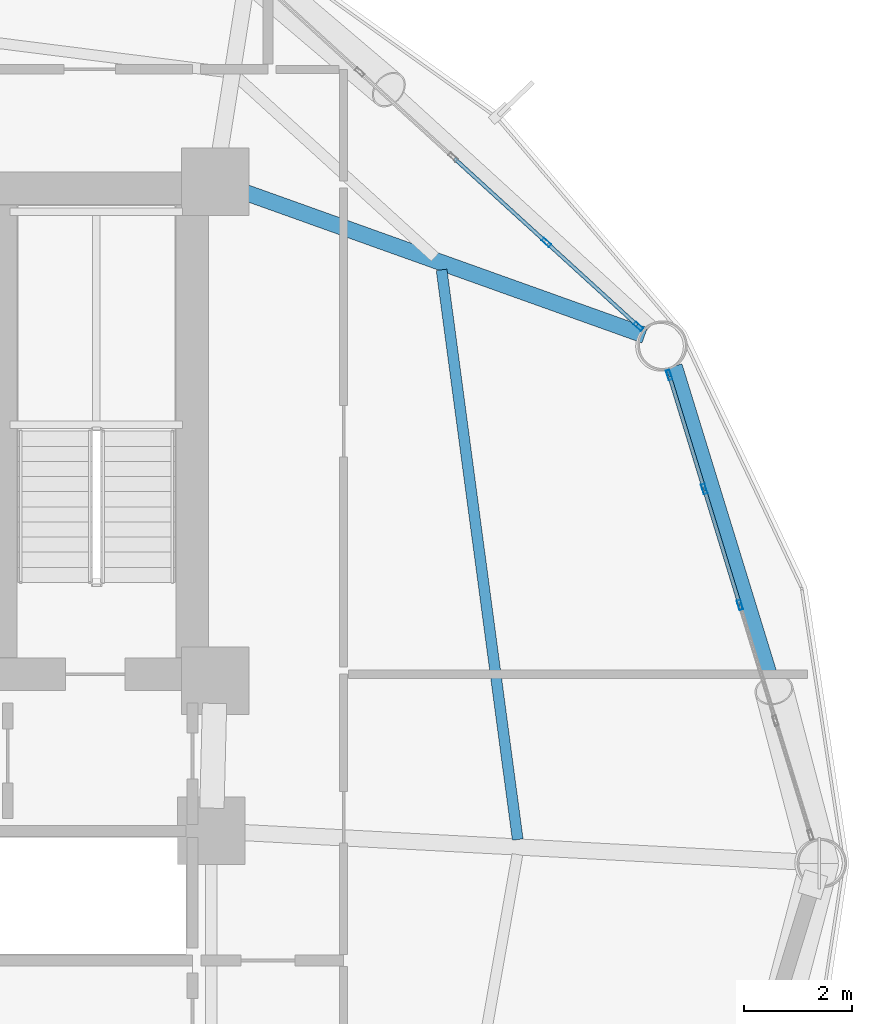
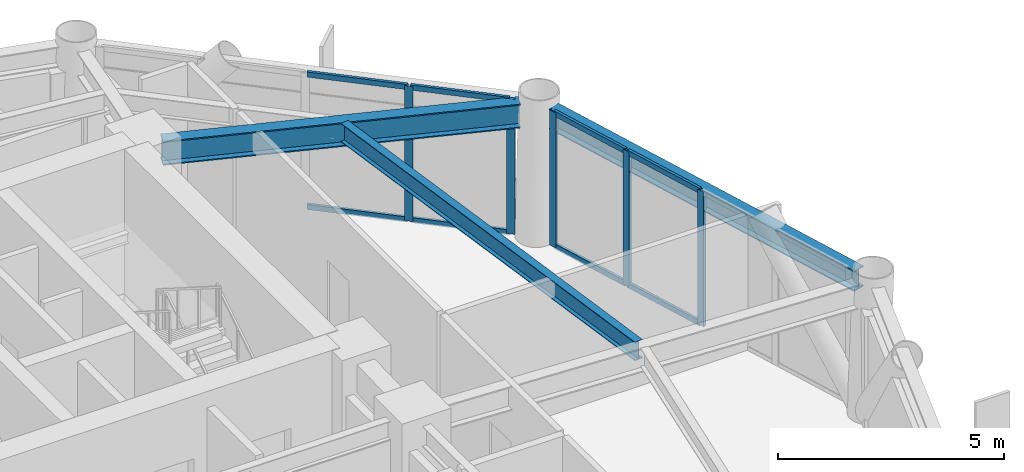
# One storey, part 15 of 26: 13 members, 3 beams, 2 elements without a shape of their own.
"""IFC4 building model written with IfcOpenShell, lengths in metres."""

from ifc_helpers import new_model, si_unit, direction, frame, origin, origin_2d, place, context, subcontext, project, spatial, hollow_rectangle, i_section, extrude, material, layer, layer_set, material_profile, profile_set, type_object, element, aggregate, save


model = new_model("IFC4")

# Units and contexts
model_context = context("Model", 3, precision=1e-05, world=origin(), true_north=direction((0.0, 1.0)))
body_context = subcontext(model_context, "Body", "Model", "MODEL_VIEW")
ifc_project = project(units=[si_unit("LENGTHUNIT", "METRE"), si_unit("AREAUNIT", "SQUARE_METRE"), si_unit("VOLUMEUNIT", "CUBIC_METRE"), si_unit("PLANEANGLEUNIT", "RADIAN"), si_unit("MASSUNIT", "GRAM", prefix="KILO")], contexts=[model_context])

# Site, building, storey
site_placement = place(None, origin())
site = spatial("IfcSite", under=ifc_project, at=site_placement, CompositionType="ELEMENT")
building_placement = place(site_placement, origin())
building = spatial("IfcBuilding", under=site, at=building_placement, Name="Varnakorn Sky Granary", CompositionType="ELEMENT")
storey_placement = place(building_placement, frame((0.0, 0.0, 51.0)))
storey = spatial("IfcBuildingStorey", under=building, at=storey_placement, Name="L12", CompositionType="ELEMENT", Elevation=51.0)

# Beams
ifc_material_1 = material(Name="Steel S355JR", Category="steel")
ifc_material_profile_1 = material_profile(ifc_material_1, i_section(OverallWidth=0.300048828125, OverallDepth=0.64990234375, WebThickness=0.01611328125, FlangeThickness=0.031005859375, at=origin_2d()), Name="HE 650 B")
ifc_profile_set_1 = profile_set([ifc_material_profile_1], Name="Steel S355JR")
beam_type_1 = type_object("IfcBeamType", Name="BM-RAD-Z1", PredefinedType="BEAM", material=ifc_profile_set_1)
beam_1_placement = place(storey_placement, frame((8.8154296875, 12.478515625, 3.31494140625), z_axis=(0.941569066567, -0.33681997103, 0.0), x_axis=(0.33681997103, 0.941569066567, 0.0)))
element("IfcBeam", 1, at=beam_1_placement, inside=storey, type_object=beam_type_1, Name="Radial Floor Girder RG02 L12", PredefinedType="BEAM", context=body_context, shape_type="SweptSolid", body=[
    extrude(i_section(OverallWidth=0.300048828125, OverallDepth=0.64990234375, WebThickness=0.01611328125, FlangeThickness=0.031005859375, at=origin_2d()), origin(), (0.0, 0.0, 1.0), 8.02685546875),
])
ifc_material_profile_2 = material_profile(ifc_material_1, i_section(OverallWidth=0.199951171875, OverallDepth=0.5, WebThickness=0.01025390625, FlangeThickness=0.01611328125, at=origin_2d()), Name="IPE 500")
ifc_profile_set_2 = profile_set([ifc_material_profile_2], Name="Steel S355JR")
beam_type_2 = type_object("IfcBeamType", Name="BM-SEC-Z1", PredefinedType="BEAM", material=ifc_profile_set_2)
beam_2_placement = place(storey_placement, frame((14.0224609375, 0.439208984375, 3.389892578125), z_axis=(-0.132435695668, 0.991191599295, 0.0), x_axis=(-0.991191599295, -0.132435695668, 0.0)))
element("IfcBeam", 2, at=beam_2_placement, inside=storey, type_object=beam_type_2, Name="Secondary Floor Chord Beam MSB01 L12", PredefinedType="BEAM", context=body_context, shape_type="SweptSolid", body=[
    extrude(i_section(OverallWidth=0.199951171875, OverallDepth=0.5, WebThickness=0.01025390625, FlangeThickness=0.01611328125, at=origin_2d()), origin(), (0.0, 0.0, 1.0), 10.642333984375),
])
ifc_material_profile_3 = material_profile(ifc_material_1, i_section(OverallWidth=0.300048828125, OverallDepth=0.550048828125, WebThickness=0.014892578125, FlangeThickness=0.029052734375, at=origin_2d()), Name="HE 550 B")
ifc_profile_set_3 = profile_set([ifc_material_profile_3], Name="Steel S355JR")
beam_type_3 = type_object("IfcBeamType", Name="BM-SPD-Z1", PredefinedType="SPANDREL", material=ifc_profile_set_3)
beam_3_placement = place(storey_placement, frame((19.623779296875, 0.42236328125, 3.364990234375), z_axis=(-0.294302432342, 0.955712340779, 0.0), x_axis=(-0.955712340779, -0.294302432342, 0.0)))
element("IfcBeam", 3, at=beam_3_placement, inside=storey, type_object=beam_type_3, Name="Perimeter Spandrel Ring Beam RB01 L12", PredefinedType="SPANDREL", context=body_context, shape_type="SweptSolid", body=[
    extrude(i_section(OverallWidth=0.300048828125, OverallDepth=0.550048828125, WebThickness=0.014892578125, FlangeThickness=0.029052734375, at=origin_2d()), origin(), (0.0, 0.0, 1.0), 9.188232421875),
])

# Curtain wall, members
ifc_material_2 = material(Name="Anodised Bronze Aluminium Alloy 6063-T6", Category="aluminium")
ifc_layer = layer(ifc_material_2, 0.18994140625, Name="Anodised Bronze Aluminium Alloy 6063-T6")
ifc_layer_set = layer_set([ifc_layer], Name="Anodised Bronze Aluminium Alloy 6063-T6")
curtain_wall_type = type_object("IfcCurtainWallType", Name="CW-FRM-1", PredefinedType="USERDEFINED", material=ifc_layer_set)
curtain_wall_1_placement = place(storey_placement, origin())
curtain_wall_1 = element("IfcCurtainWall", 4, at=curtain_wall_1_placement, inside=storey, type_object=curtain_wall_type, Name="Unitised Curtain Wall CW3 CW-L12-B01", ObjectType="CURTAIN WALL", PredefinedType="USERDEFINED")
ifc_material_profile_4 = material_profile(ifc_material_2, hollow_rectangle(XDim=0.070068359375, YDim=0.18505859375, WallThickness=0.00390625, at=origin_2d()), Name="ALU MULL 70x185")
ifc_profile_set_4 = profile_set([ifc_material_profile_4], Name="Anodised Bronze Aluminium Alloy 6063-T6")
member_type_1 = type_object("IfcMemberType", Name="CW-FRM-1-MULL", PredefinedType="MULLION", material=ifc_profile_set_4)
member_1_placement = place(storey_placement, frame((16.82568359375, 9.04150390625, 0.0), z_axis=(0.0, 0.0, 1.0), x_axis=(0.955767929805, 0.294121852906, 0.0)))
member_1 = element("IfcMember", 5, at=member_1_placement, type_object=member_type_1, Name="CW3 mullion 1", PredefinedType="MULLION", context=body_context, shape_type="SweptSolid", body=[
    extrude(hollow_rectangle(XDim=0.070068359375, YDim=0.18505859375, WallThickness=0.00390625, at=origin_2d()), origin(), (0.0, 0.0, 1.0), 3.639892578125),
])
member_2_placement = place(storey_placement, frame((17.475341796875, 6.9296875, 0.0), z_axis=(0.0, 0.0, 1.0), x_axis=(0.955767929805, 0.294121852906, 0.0)))
member_2 = element("IfcMember", 6, at=member_2_placement, type_object=member_type_1, Name="CW3 mullion 2", PredefinedType="MULLION", context=body_context, shape_type="SweptSolid", body=[
    extrude(hollow_rectangle(XDim=0.070068359375, YDim=0.18505859375, WallThickness=0.00390625, at=origin_2d()), origin(), (0.0, 0.0, 1.0), 3.639892578125),
])
member_3_placement = place(storey_placement, frame((18.135498046875, 4.784423828125, 0.0), z_axis=(0.0, 0.0, 1.0), x_axis=(0.955767929805, 0.294121852906, 0.0)))
member_3 = element("IfcMember", 7, at=member_3_placement, type_object=member_type_1, Name="CW3 mullion 3", PredefinedType="MULLION", context=body_context, shape_type="SweptSolid", body=[
    extrude(hollow_rectangle(XDim=0.070068359375, YDim=0.18505859375, WallThickness=0.00390625, at=origin_2d()), origin(), (0.0, 0.0, 1.0), 3.639892578125),
])

curtain_wall_2_placement = place(storey_placement, origin())
curtain_wall_2 = element("IfcCurtainWall", 8, at=curtain_wall_2_placement, inside=storey, type_object=curtain_wall_type, Name="Unitised Curtain Wall CW3 CW-L12-B02", ObjectType="CURTAIN WALL", PredefinedType="USERDEFINED")
member_4_placement = place(storey_placement, frame((14.552978515625, 11.494384765625, 0.0), z_axis=(0.0, 0.0, 1.0), x_axis=(0.674049155123, 0.73868649404, 0.0)))
member_4 = element("IfcMember", 9, at=member_4_placement, type_object=member_type_1, Name="CW3 mullion 4", PredefinedType="MULLION", context=body_context, shape_type="SweptSolid", body=[
    extrude(hollow_rectangle(XDim=0.070068359375, YDim=0.18505859375, WallThickness=0.00390625, at=origin_2d()), origin(), (0.0, 0.0, 1.0), 3.639892578125),
])
member_5_placement = place(storey_placement, frame((16.25537109375, 9.941162109375, 0.0), z_axis=(0.0, 0.0, 1.0), x_axis=(0.674049155123, 0.73868649404, 0.0)))
member_5 = element("IfcMember", 10, at=member_5_placement, type_object=member_type_1, Name="CW3 mullion 5", PredefinedType="MULLION", context=body_context, shape_type="SweptSolid", body=[
    extrude(hollow_rectangle(XDim=0.070068359375, YDim=0.18505859375, WallThickness=0.00390625, at=origin_2d()), origin(), (0.0, 0.0, 1.0), 3.639892578125),
])

# Member
ifc_material_profile_5 = material_profile(ifc_material_2, hollow_rectangle(XDim=0.070068359375, YDim=0.139892578125, WallThickness=0.00341796875, at=origin_2d()), Name="ALU TRAN 70x140")
ifc_profile_set_5 = profile_set([ifc_material_profile_5], Name="Anodised Bronze Aluminium Alloy 6063-T6")
member_type_2 = type_object("IfcMemberType", Name="CW-FRM-1-TRAN", PredefinedType="USERDEFINED", material=ifc_profile_set_5)
member_6_placement = place(storey_placement, frame((16.8359375, 9.008056640625, 0.034912109375), z_axis=(0.294061793096, -0.955786410157, 0.0), x_axis=(0.955786410157, 0.294061793096, 0.0)))
member_6 = element("IfcMember", 11, at=member_6_placement, type_object=member_type_2, Name="CW3 transom 1.1", ObjectType="TRANSOM", PredefinedType="USERDEFINED", context=body_context, shape_type="SweptSolid", body=[
    extrude(hollow_rectangle(XDim=0.070068359375, YDim=0.139892578125, WallThickness=0.00341796875, at=origin_2d()), origin(), (0.0, 0.0, 1.0), 2.139404296875),
])

member_7_placement = place(storey_placement, frame((16.8359375, 9.008056640625, 3.60498046875), z_axis=(0.294061793096, -0.955786410157, 0.0), x_axis=(0.955786410157, 0.294061793096, 0.0)))
member_7 = element("IfcMember", 12, at=member_7_placement, type_object=member_type_2, Name="CW3 transom 1.2", ObjectType="TRANSOM", PredefinedType="USERDEFINED", context=body_context, shape_type="SweptSolid", body=[
    extrude(hollow_rectangle(XDim=0.070068359375, YDim=0.139892578125, WallThickness=0.00341796875, at=origin_2d()), origin(), (0.0, 0.0, 1.0), 2.139404296875),
])

member_8_placement = place(storey_placement, frame((17.48583984375, 6.896240234375, 0.034912109375), z_axis=(0.294046400859, -0.95579114567, 0.0), x_axis=(0.95579114567, 0.294046400859, 0.0)))
member_8 = element("IfcMember", 13, at=member_8_placement, type_object=member_type_2, Name="CW3 transom 2.1", ObjectType="TRANSOM", PredefinedType="USERDEFINED", context=body_context, shape_type="SweptSolid", body=[
    extrude(hollow_rectangle(XDim=0.070068359375, YDim=0.139892578125, WallThickness=0.00341796875, at=origin_2d()), origin(), (0.0, 0.0, 1.0), 2.174560546875),
])

member_9_placement = place(storey_placement, frame((17.48583984375, 6.896240234375, 3.60498046875), z_axis=(0.294046400859, -0.95579114567, 0.0), x_axis=(0.95579114567, 0.294046400859, 0.0)))
member_9 = element("IfcMember", 14, at=member_9_placement, type_object=member_type_2, Name="CW3 transom 2.2", ObjectType="TRANSOM", PredefinedType="USERDEFINED", context=body_context, shape_type="SweptSolid", body=[
    extrude(hollow_rectangle(XDim=0.070068359375, YDim=0.139892578125, WallThickness=0.00341796875, at=origin_2d()), origin(), (0.0, 0.0, 1.0), 2.174560546875),
])

aggregate(curtain_wall_1, [member_1, member_2, member_3, member_6, member_7, member_8, member_9])

member_10_placement = place(storey_placement, frame((12.8505859375, 13.0478515625, 0.034912109375), z_axis=(0.738692728033, -0.674042323264, 0.0), x_axis=(0.674042323264, 0.738692728033, 0.0)))
member_10 = element("IfcMember", 15, at=member_10_placement, type_object=member_type_2, Name="CW3 transom 3.1", ObjectType="TRANSOM", PredefinedType="USERDEFINED", context=body_context, shape_type="SweptSolid", body=[
    extrude(hollow_rectangle(XDim=0.070068359375, YDim=0.139892578125, WallThickness=0.00341796875, at=origin_2d()), origin(), (0.0, 0.0, 1.0), 2.26953125),
])

member_11_placement = place(storey_placement, frame((12.8505859375, 13.0478515625, 3.60498046875), z_axis=(0.738692728033, -0.674042323264, 0.0), x_axis=(0.674042323264, 0.738692728033, 0.0)))
member_11 = element("IfcMember", 16, at=member_11_placement, type_object=member_type_2, Name="CW3 transom 3.2", ObjectType="TRANSOM", PredefinedType="USERDEFINED", context=body_context, shape_type="SweptSolid", body=[
    extrude(hollow_rectangle(XDim=0.070068359375, YDim=0.139892578125, WallThickness=0.00341796875, at=origin_2d()), origin(), (0.0, 0.0, 1.0), 2.26953125),
])

member_12_placement = place(storey_placement, frame((14.578857421875, 11.470947265625, 0.034912109375), z_axis=(0.738653403881, -0.674085416646, 0.0), x_axis=(0.674085416646, 0.738653403881, 0.0)))
member_12 = element("IfcMember", 17, at=member_12_placement, type_object=member_type_2, Name="CW3 transom 4.1", ObjectType="TRANSOM", PredefinedType="USERDEFINED", context=body_context, shape_type="SweptSolid", body=[
    extrude(hollow_rectangle(XDim=0.070068359375, YDim=0.139892578125, WallThickness=0.00341796875, at=origin_2d()), origin(), (0.0, 0.0, 1.0), 2.234619140625),
])

member_13_placement = place(storey_placement, frame((14.578857421875, 11.470947265625, 3.60498046875), z_axis=(0.738653403881, -0.674085416646, 0.0), x_axis=(0.674085416646, 0.738653403881, 0.0)))
member_13 = element("IfcMember", 18, at=member_13_placement, type_object=member_type_2, Name="CW3 transom 4.2", ObjectType="TRANSOM", PredefinedType="USERDEFINED", context=body_context, shape_type="SweptSolid", body=[
    extrude(hollow_rectangle(XDim=0.070068359375, YDim=0.139892578125, WallThickness=0.00341796875, at=origin_2d()), origin(), (0.0, 0.0, 1.0), 2.234619140625),
])

aggregate(curtain_wall_2, [member_4, member_5, member_10, member_11, member_12, member_13])

save(model, "model.ifc")
